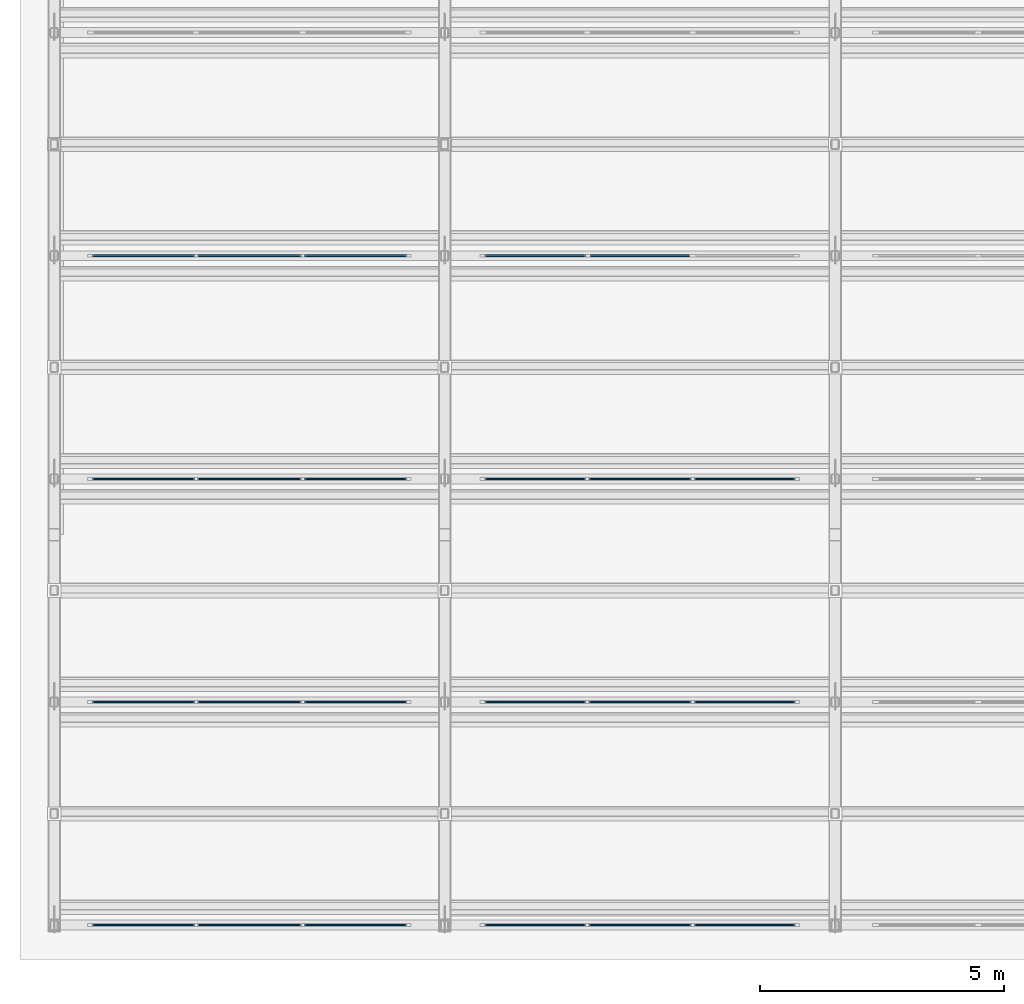
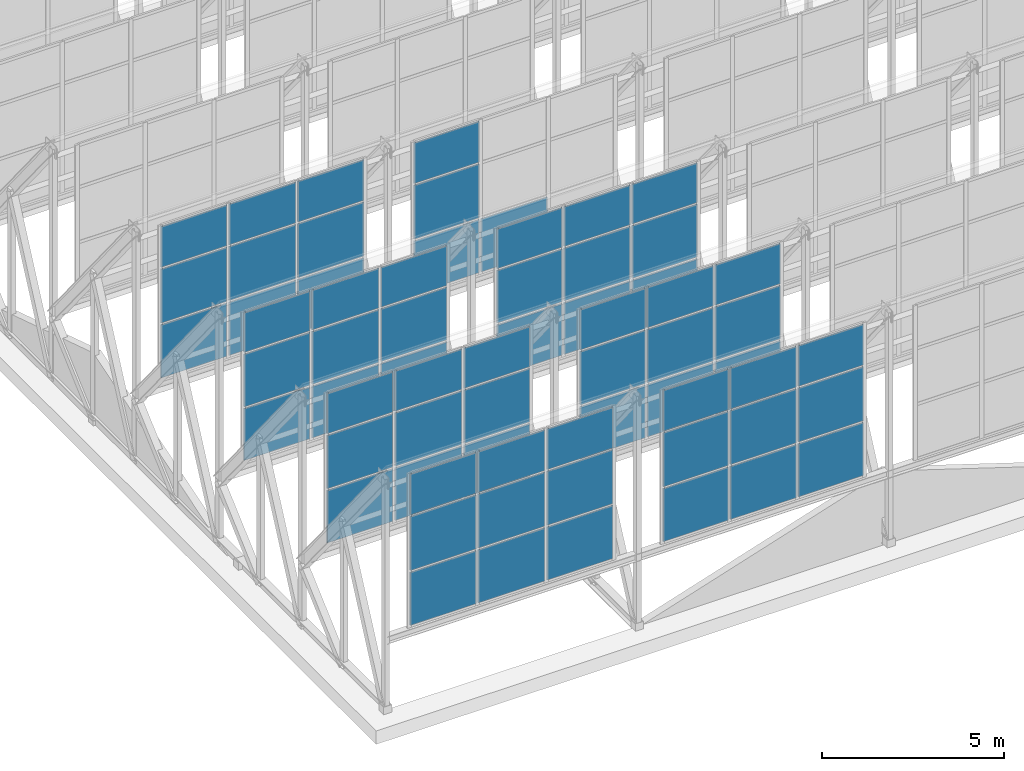
# One storey, part 26 of 34: 67 plates, 8 elements without a shape of their own.
"""IFC4 building model written with IfcOpenShell, lengths in metres."""

from ifc_helpers import new_model, si_unit, direction, frame, origin, origin_2d, place, context, subcontext, project, spatial, rectangle, extrude, material, layer, layer_set, type_object, element, aggregate, save


model = new_model("IFC4")

# Units and contexts
model_context = context("Model", 3, precision=1e-05, world=origin(), true_north=direction((0.0, 1.0)))
body_context = subcontext(model_context, "Body", "Model", "MODEL_VIEW")
ifc_project = project(units=[si_unit("LENGTHUNIT", "METRE"), si_unit("AREAUNIT", "SQUARE_METRE"), si_unit("VOLUMEUNIT", "CUBIC_METRE"), si_unit("PLANEANGLEUNIT", "RADIAN"), si_unit("MASSUNIT", "GRAM", prefix="KILO")], contexts=[model_context])

# Site, building, storey
site_placement = place(None, origin())
site = spatial("IfcSite", under=ifc_project, at=site_placement, CompositionType="ELEMENT")
building_placement = place(site_placement, origin())
building = spatial("IfcBuilding", under=site, at=building_placement, Name="Qorikala Patio Media Centre", CompositionType="ELEMENT")
storey_placement = place(building_placement, frame((0.0, 0.0, 32.699951171875)))
storey = spatial("IfcBuildingStorey", under=building, at=storey_placement, Name="RF", CompositionType="ELEMENT", Elevation=32.699951171875)

# Curtain wall, plates
ifc_material_1 = material(Name="Bronze Anodised Aluminium and Low-E Glass", Category="aluminium")
ifc_layer_1 = layer(ifc_material_1, 0.159912109375)
ifc_layer_set_1 = layer_set([ifc_layer_1], Name="Bronze Anodised Aluminium and Low-E Glass")
curtain_wall_type_1 = type_object("IfcCurtainWallType", Name="CW-SAW-656X520", PredefinedType="USERDEFINED", material=ifc_layer_set_1)
curtain_wall_1_placement = place(storey_placement, origin())
curtain_wall_1 = element("IfcCurtainWall", 1, at=curtain_wall_1_placement, inside=storey, type_object=curtain_wall_type_1, Name="RF Sawtooth Glazing 107", ObjectType="SAWTOOTH GLAZING", PredefinedType="USERDEFINED")
ifc_material_2 = material(Name="Acoustic Laminated Low-E Glass", Category="glass")
ifc_layer_2 = layer(ifc_material_2, 0.031982421875)
ifc_layer_set_2 = layer_set([ifc_layer_2], Name="Acoustic Laminated Low-E Glass")
plate_type = type_object("IfcPlateType", Name="CWP-32", PredefinedType="CURTAIN_PANEL", material=ifc_layer_set_2)
plate_1_placement = place(storey_placement, frame((4.828369140625, 3.0, 2.81005859375), z_axis=(0.0, 0.0, 1.0), x_axis=(1.0, 0.0, 0.0)))
plate_1 = element("IfcPlate", 2, at=plate_1_placement, type_object=plate_type, Name="CWS656520 panel 1.1", PredefinedType="CURTAIN_PANEL", context=body_context, shape_type="SweptSolid", body=[
    extrude(rectangle(XDim=2.0966796875, YDim=0.031982421875, at=origin_2d()), origin(), (0.0, 0.0, 1.0), 1.781982421875),
])
plate_2_placement = place(storey_placement, frame((4.828369140625, 3.0, 4.652099609375), z_axis=(0.0, 0.0, 1.0), x_axis=(1.0, 0.0, 0.0)))
plate_2 = element("IfcPlate", 3, at=plate_2_placement, type_object=plate_type, Name="CWS656520 panel 1.2", PredefinedType="CURTAIN_PANEL", context=body_context, shape_type="SweptSolid", body=[
    extrude(rectangle(XDim=2.0966796875, YDim=0.031982421875, at=origin_2d()), origin(), (0.0, 0.0, 1.0), 1.81201171875),
])
plate_3_placement = place(storey_placement, frame((4.828369140625, 3.0, 6.52392578125), z_axis=(0.0, 0.0, 1.0), x_axis=(1.0, 0.0, 0.0)))
plate_3 = element("IfcPlate", 4, at=plate_3_placement, type_object=plate_type, Name="CWS656520 panel 1.3", PredefinedType="CURTAIN_PANEL", context=body_context, shape_type="SweptSolid", body=[
    extrude(rectangle(XDim=2.0966796875, YDim=0.031982421875, at=origin_2d()), origin(), (0.0, 0.0, 1.0), 1.365966796875),
])
plate_4_placement = place(storey_placement, frame((7.0, 3.0, 2.81005859375), z_axis=(0.0, 0.0, 1.0), x_axis=(1.0, 0.0, 0.0)))
plate_4 = element("IfcPlate", 5, at=plate_4_placement, type_object=plate_type, Name="CWS656520 panel 2.1", PredefinedType="CURTAIN_PANEL", context=body_context, shape_type="SweptSolid", body=[
    extrude(rectangle(XDim=2.126708984375, YDim=0.031982421875, at=origin_2d()), origin(), (0.0, 0.0, 1.0), 1.781982421875),
])
plate_5_placement = place(storey_placement, frame((7.0, 3.0, 4.652099609375), z_axis=(0.0, 0.0, 1.0), x_axis=(1.0, 0.0, 0.0)))
plate_5 = element("IfcPlate", 6, at=plate_5_placement, type_object=plate_type, Name="CWS656520 panel 2.2", PredefinedType="CURTAIN_PANEL", context=body_context, shape_type="SweptSolid", body=[
    extrude(rectangle(XDim=2.126708984375, YDim=0.031982421875, at=origin_2d()), origin(), (0.0, 0.0, 1.0), 1.81201171875),
])
plate_6_placement = place(storey_placement, frame((7.0, 3.0, 6.52392578125), z_axis=(0.0, 0.0, 1.0), x_axis=(1.0, 0.0, 0.0)))
plate_6 = element("IfcPlate", 7, at=plate_6_placement, type_object=plate_type, Name="CWS656520 panel 2.3", PredefinedType="CURTAIN_PANEL", context=body_context, shape_type="SweptSolid", body=[
    extrude(rectangle(XDim=2.126708984375, YDim=0.031982421875, at=origin_2d()), origin(), (0.0, 0.0, 1.0), 1.365966796875),
])
plate_7_placement = place(storey_placement, frame((9.171630859375, 3.0, 2.81005859375), z_axis=(0.0, 0.0, 1.0), x_axis=(1.0, 0.0, 0.0)))
plate_7 = element("IfcPlate", 8, at=plate_7_placement, type_object=plate_type, Name="CWS656520 panel 3.1", PredefinedType="CURTAIN_PANEL", context=body_context, shape_type="SweptSolid", body=[
    extrude(rectangle(XDim=2.0966796875, YDim=0.031982421875, at=origin_2d()), origin(), (0.0, 0.0, 1.0), 1.781982421875),
])
plate_8_placement = place(storey_placement, frame((9.171630859375, 3.0, 4.652099609375), z_axis=(0.0, 0.0, 1.0), x_axis=(1.0, 0.0, 0.0)))
plate_8 = element("IfcPlate", 9, at=plate_8_placement, type_object=plate_type, Name="CWS656520 panel 3.2", PredefinedType="CURTAIN_PANEL", context=body_context, shape_type="SweptSolid", body=[
    extrude(rectangle(XDim=2.0966796875, YDim=0.031982421875, at=origin_2d()), origin(), (0.0, 0.0, 1.0), 1.81201171875),
])
plate_9_placement = place(storey_placement, frame((9.171630859375, 3.0, 6.52392578125), z_axis=(0.0, 0.0, 1.0), x_axis=(1.0, 0.0, 0.0)))
plate_9 = element("IfcPlate", 10, at=plate_9_placement, type_object=plate_type, Name="CWS656520 panel 3.3", PredefinedType="CURTAIN_PANEL", context=body_context, shape_type="SweptSolid", body=[
    extrude(rectangle(XDim=2.0966796875, YDim=0.031982421875, at=origin_2d()), origin(), (0.0, 0.0, 1.0), 1.365966796875),
])
aggregate(curtain_wall_1, [plate_1, plate_2, plate_3, plate_4, plate_5, plate_6, plate_7, plate_8, plate_9])

ifc_layer_3 = layer(ifc_material_1, 0.159912109375)
ifc_layer_set_3 = layer_set([ifc_layer_3], Name="Bronze Anodised Aluminium and Low-E Glass")
curtain_wall_type_2 = type_object("IfcCurtainWallType", Name="CW-SAW-648X520", PredefinedType="USERDEFINED", material=ifc_layer_set_3)
curtain_wall_2_placement = place(storey_placement, origin())
curtain_wall_2 = element("IfcCurtainWall", 11, at=curtain_wall_2_placement, inside=storey, type_object=curtain_wall_type_2, Name="RF Sawtooth Glazing 108", ObjectType="SAWTOOTH GLAZING", PredefinedType="USERDEFINED")
plate_10_placement = place(storey_placement, frame((12.85498046875, 3.0, 2.81005859375), z_axis=(0.0, 0.0, 1.0), x_axis=(1.0, 0.0, 0.0)))
plate_10 = element("IfcPlate", 12, at=plate_10_placement, type_object=plate_type, Name="CWS648520 panel 1.1", PredefinedType="CURTAIN_PANEL", context=body_context, shape_type="SweptSolid", body=[
    extrude(rectangle(XDim=2.070068359375, YDim=0.031982421875, at=origin_2d()), origin(), (0.0, 0.0, 1.0), 1.781982421875),
])
plate_11_placement = place(storey_placement, frame((12.85498046875, 3.0, 4.652099609375), z_axis=(0.0, 0.0, 1.0), x_axis=(1.0, 0.0, 0.0)))
plate_11 = element("IfcPlate", 13, at=plate_11_placement, type_object=plate_type, Name="CWS648520 panel 1.2", PredefinedType="CURTAIN_PANEL", context=body_context, shape_type="SweptSolid", body=[
    extrude(rectangle(XDim=2.070068359375, YDim=0.031982421875, at=origin_2d()), origin(), (0.0, 0.0, 1.0), 1.81201171875),
])
plate_12_placement = place(storey_placement, frame((12.85498046875, 3.0, 6.52392578125), z_axis=(0.0, 0.0, 1.0), x_axis=(1.0, 0.0, 0.0)))
plate_12 = element("IfcPlate", 14, at=plate_12_placement, type_object=plate_type, Name="CWS648520 panel 1.3", PredefinedType="CURTAIN_PANEL", context=body_context, shape_type="SweptSolid", body=[
    extrude(rectangle(XDim=2.070068359375, YDim=0.031982421875, at=origin_2d()), origin(), (0.0, 0.0, 1.0), 1.365966796875),
])
plate_13_placement = place(storey_placement, frame((15.0, 3.0, 2.81005859375), z_axis=(0.0, 0.0, 1.0), x_axis=(1.0, 0.0, 0.0)))
plate_13 = element("IfcPlate", 15, at=plate_13_placement, type_object=plate_type, Name="CWS648520 panel 2.1", PredefinedType="CURTAIN_PANEL", context=body_context, shape_type="SweptSolid", body=[
    extrude(rectangle(XDim=2.10009765625, YDim=0.031982421875, at=origin_2d()), origin(), (0.0, 0.0, 1.0), 1.781982421875),
])
plate_14_placement = place(storey_placement, frame((15.0, 3.0, 4.652099609375), z_axis=(0.0, 0.0, 1.0), x_axis=(1.0, 0.0, 0.0)))
plate_14 = element("IfcPlate", 16, at=plate_14_placement, type_object=plate_type, Name="CWS648520 panel 2.2", PredefinedType="CURTAIN_PANEL", context=body_context, shape_type="SweptSolid", body=[
    extrude(rectangle(XDim=2.10009765625, YDim=0.031982421875, at=origin_2d()), origin(), (0.0, 0.0, 1.0), 1.81201171875),
])
plate_15_placement = place(storey_placement, frame((15.0, 3.0, 6.52392578125), z_axis=(0.0, 0.0, 1.0), x_axis=(1.0, 0.0, 0.0)))
plate_15 = element("IfcPlate", 17, at=plate_15_placement, type_object=plate_type, Name="CWS648520 panel 2.3", PredefinedType="CURTAIN_PANEL", context=body_context, shape_type="SweptSolid", body=[
    extrude(rectangle(XDim=2.10009765625, YDim=0.031982421875, at=origin_2d()), origin(), (0.0, 0.0, 1.0), 1.365966796875),
])
plate_16_placement = place(storey_placement, frame((17.14501953125, 3.0, 2.81005859375), z_axis=(0.0, 0.0, 1.0), x_axis=(1.0, 0.0, 0.0)))
plate_16 = element("IfcPlate", 18, at=plate_16_placement, type_object=plate_type, Name="CWS648520 panel 3.1", PredefinedType="CURTAIN_PANEL", context=body_context, shape_type="SweptSolid", body=[
    extrude(rectangle(XDim=2.070068359375, YDim=0.031982421875, at=origin_2d()), origin(), (0.0, 0.0, 1.0), 1.781982421875),
])
plate_17_placement = place(storey_placement, frame((17.14501953125, 3.0, 4.652099609375), z_axis=(0.0, 0.0, 1.0), x_axis=(1.0, 0.0, 0.0)))
plate_17 = element("IfcPlate", 19, at=plate_17_placement, type_object=plate_type, Name="CWS648520 panel 3.2", PredefinedType="CURTAIN_PANEL", context=body_context, shape_type="SweptSolid", body=[
    extrude(rectangle(XDim=2.070068359375, YDim=0.031982421875, at=origin_2d()), origin(), (0.0, 0.0, 1.0), 1.81201171875),
])
plate_18_placement = place(storey_placement, frame((17.14501953125, 3.0, 6.52392578125), z_axis=(0.0, 0.0, 1.0), x_axis=(1.0, 0.0, 0.0)))
plate_18 = element("IfcPlate", 20, at=plate_18_placement, type_object=plate_type, Name="CWS648520 panel 3.3", PredefinedType="CURTAIN_PANEL", context=body_context, shape_type="SweptSolid", body=[
    extrude(rectangle(XDim=2.070068359375, YDim=0.031982421875, at=origin_2d()), origin(), (0.0, 0.0, 1.0), 1.365966796875),
])
aggregate(curtain_wall_2, [plate_10, plate_11, plate_12, plate_13, plate_14, plate_15, plate_16, plate_17, plate_18])

ifc_layer_4 = layer(ifc_material_1, 0.159912109375)
ifc_layer_set_4 = layer_set([ifc_layer_4], Name="Bronze Anodised Aluminium and Low-E Glass")
curtain_wall_type_3 = type_object("IfcCurtainWallType", Name="CW-SAW-656X514", PredefinedType="USERDEFINED", material=ifc_layer_set_4)
curtain_wall_3_placement = place(storey_placement, origin())
curtain_wall_3 = element("IfcCurtainWall", 21, at=curtain_wall_3_placement, inside=storey, type_object=curtain_wall_type_3, Name="RF Sawtooth Glazing 112", ObjectType="SAWTOOTH GLAZING", PredefinedType="USERDEFINED")
plate_19_placement = place(storey_placement, frame((4.828369140625, 7.5712890625, 2.81005859375), z_axis=(0.0, 0.0, 1.0), x_axis=(1.0, 0.0, 0.0)))
plate_19 = element("IfcPlate", 22, at=plate_19_placement, type_object=plate_type, Name="CWS656514 panel 1.1", PredefinedType="CURTAIN_PANEL", context=body_context, shape_type="SweptSolid", body=[
    extrude(rectangle(XDim=2.0966796875, YDim=0.031982421875, at=origin_2d()), origin(), (0.0, 0.0, 1.0), 1.760498046875),
])
plate_20_placement = place(storey_placement, frame((4.828369140625, 7.5712890625, 4.63037109375), z_axis=(0.0, 0.0, 1.0), x_axis=(1.0, 0.0, 0.0)))
plate_20 = element("IfcPlate", 23, at=plate_20_placement, type_object=plate_type, Name="CWS656514 panel 1.2", PredefinedType="CURTAIN_PANEL", context=body_context, shape_type="SweptSolid", body=[
    extrude(rectangle(XDim=2.0966796875, YDim=0.031982421875, at=origin_2d()), origin(), (0.0, 0.0, 1.0), 1.790283203125),
])
plate_21_placement = place(storey_placement, frame((4.828369140625, 7.5712890625, 6.48095703125), z_axis=(0.0, 0.0, 1.0), x_axis=(1.0, 0.0, 0.0)))
plate_21 = element("IfcPlate", 24, at=plate_21_placement, type_object=plate_type, Name="CWS656514 panel 1.3", PredefinedType="CURTAIN_PANEL", context=body_context, shape_type="SweptSolid", body=[
    extrude(rectangle(XDim=2.0966796875, YDim=0.031982421875, at=origin_2d()), origin(), (0.0, 0.0, 1.0), 1.34912109375),
])
plate_22_placement = place(storey_placement, frame((7.0, 7.5712890625, 2.81005859375), z_axis=(0.0, 0.0, 1.0), x_axis=(1.0, 0.0, 0.0)))
plate_22 = element("IfcPlate", 25, at=plate_22_placement, type_object=plate_type, Name="CWS656514 panel 2.1", PredefinedType="CURTAIN_PANEL", context=body_context, shape_type="SweptSolid", body=[
    extrude(rectangle(XDim=2.126708984375, YDim=0.031982421875, at=origin_2d()), origin(), (0.0, 0.0, 1.0), 1.760498046875),
])
plate_23_placement = place(storey_placement, frame((7.0, 7.5712890625, 4.63037109375), z_axis=(0.0, 0.0, 1.0), x_axis=(1.0, 0.0, 0.0)))
plate_23 = element("IfcPlate", 26, at=plate_23_placement, type_object=plate_type, Name="CWS656514 panel 2.2", PredefinedType="CURTAIN_PANEL", context=body_context, shape_type="SweptSolid", body=[
    extrude(rectangle(XDim=2.126708984375, YDim=0.031982421875, at=origin_2d()), origin(), (0.0, 0.0, 1.0), 1.790283203125),
])
plate_24_placement = place(storey_placement, frame((7.0, 7.5712890625, 6.48095703125), z_axis=(0.0, 0.0, 1.0), x_axis=(1.0, 0.0, 0.0)))
plate_24 = element("IfcPlate", 27, at=plate_24_placement, type_object=plate_type, Name="CWS656514 panel 2.3", PredefinedType="CURTAIN_PANEL", context=body_context, shape_type="SweptSolid", body=[
    extrude(rectangle(XDim=2.126708984375, YDim=0.031982421875, at=origin_2d()), origin(), (0.0, 0.0, 1.0), 1.34912109375),
])
plate_25_placement = place(storey_placement, frame((9.171630859375, 7.5712890625, 2.81005859375), z_axis=(0.0, 0.0, 1.0), x_axis=(1.0, 0.0, 0.0)))
plate_25 = element("IfcPlate", 28, at=plate_25_placement, type_object=plate_type, Name="CWS656514 panel 3.1", PredefinedType="CURTAIN_PANEL", context=body_context, shape_type="SweptSolid", body=[
    extrude(rectangle(XDim=2.0966796875, YDim=0.031982421875, at=origin_2d()), origin(), (0.0, 0.0, 1.0), 1.760498046875),
])
plate_26_placement = place(storey_placement, frame((9.171630859375, 7.5712890625, 4.63037109375), z_axis=(0.0, 0.0, 1.0), x_axis=(1.0, 0.0, 0.0)))
plate_26 = element("IfcPlate", 29, at=plate_26_placement, type_object=plate_type, Name="CWS656514 panel 3.2", PredefinedType="CURTAIN_PANEL", context=body_context, shape_type="SweptSolid", body=[
    extrude(rectangle(XDim=2.0966796875, YDim=0.031982421875, at=origin_2d()), origin(), (0.0, 0.0, 1.0), 1.790283203125),
])
plate_27_placement = place(storey_placement, frame((9.171630859375, 7.5712890625, 6.48095703125), z_axis=(0.0, 0.0, 1.0), x_axis=(1.0, 0.0, 0.0)))
plate_27 = element("IfcPlate", 30, at=plate_27_placement, type_object=plate_type, Name="CWS656514 panel 3.3", PredefinedType="CURTAIN_PANEL", context=body_context, shape_type="SweptSolid", body=[
    extrude(rectangle(XDim=2.0966796875, YDim=0.031982421875, at=origin_2d()), origin(), (0.0, 0.0, 1.0), 1.34912109375),
])
aggregate(curtain_wall_3, [plate_19, plate_20, plate_21, plate_22, plate_23, plate_24, plate_25, plate_26, plate_27])

ifc_layer_5 = layer(ifc_material_1, 0.159912109375)
ifc_layer_set_5 = layer_set([ifc_layer_5], Name="Bronze Anodised Aluminium and Low-E Glass")
curtain_wall_type_4 = type_object("IfcCurtainWallType", Name="CW-SAW-648X514", PredefinedType="USERDEFINED", material=ifc_layer_set_5)
curtain_wall_4_placement = place(storey_placement, origin())
curtain_wall_4 = element("IfcCurtainWall", 31, at=curtain_wall_4_placement, inside=storey, type_object=curtain_wall_type_4, Name="RF Sawtooth Glazing 113", ObjectType="SAWTOOTH GLAZING", PredefinedType="USERDEFINED")
plate_28_placement = place(storey_placement, frame((12.85498046875, 7.5712890625, 2.81005859375), z_axis=(0.0, 0.0, 1.0), x_axis=(1.0, 0.0, 0.0)))
plate_28 = element("IfcPlate", 32, at=plate_28_placement, type_object=plate_type, Name="CWS648514 panel 1.1", PredefinedType="CURTAIN_PANEL", context=body_context, shape_type="SweptSolid", body=[
    extrude(rectangle(XDim=2.070068359375, YDim=0.031982421875, at=origin_2d()), origin(), (0.0, 0.0, 1.0), 1.760498046875),
])
plate_29_placement = place(storey_placement, frame((12.85498046875, 7.5712890625, 4.63037109375), z_axis=(0.0, 0.0, 1.0), x_axis=(1.0, 0.0, 0.0)))
plate_29 = element("IfcPlate", 33, at=plate_29_placement, type_object=plate_type, Name="CWS648514 panel 1.2", PredefinedType="CURTAIN_PANEL", context=body_context, shape_type="SweptSolid", body=[
    extrude(rectangle(XDim=2.070068359375, YDim=0.031982421875, at=origin_2d()), origin(), (0.0, 0.0, 1.0), 1.790283203125),
])
plate_30_placement = place(storey_placement, frame((12.85498046875, 7.5712890625, 6.48095703125), z_axis=(0.0, 0.0, 1.0), x_axis=(1.0, 0.0, 0.0)))
plate_30 = element("IfcPlate", 34, at=plate_30_placement, type_object=plate_type, Name="CWS648514 panel 1.3", PredefinedType="CURTAIN_PANEL", context=body_context, shape_type="SweptSolid", body=[
    extrude(rectangle(XDim=2.070068359375, YDim=0.031982421875, at=origin_2d()), origin(), (0.0, 0.0, 1.0), 1.34912109375),
])
plate_31_placement = place(storey_placement, frame((15.0, 7.5712890625, 2.81005859375), z_axis=(0.0, 0.0, 1.0), x_axis=(1.0, 0.0, 0.0)))
plate_31 = element("IfcPlate", 35, at=plate_31_placement, type_object=plate_type, Name="CWS648514 panel 2.1", PredefinedType="CURTAIN_PANEL", context=body_context, shape_type="SweptSolid", body=[
    extrude(rectangle(XDim=2.10009765625, YDim=0.031982421875, at=origin_2d()), origin(), (0.0, 0.0, 1.0), 1.760498046875),
])
plate_32_placement = place(storey_placement, frame((15.0, 7.5712890625, 4.63037109375), z_axis=(0.0, 0.0, 1.0), x_axis=(1.0, 0.0, 0.0)))
plate_32 = element("IfcPlate", 36, at=plate_32_placement, type_object=plate_type, Name="CWS648514 panel 2.2", PredefinedType="CURTAIN_PANEL", context=body_context, shape_type="SweptSolid", body=[
    extrude(rectangle(XDim=2.10009765625, YDim=0.031982421875, at=origin_2d()), origin(), (0.0, 0.0, 1.0), 1.790283203125),
])
plate_33_placement = place(storey_placement, frame((15.0, 7.5712890625, 6.48095703125), z_axis=(0.0, 0.0, 1.0), x_axis=(1.0, 0.0, 0.0)))
plate_33 = element("IfcPlate", 37, at=plate_33_placement, type_object=plate_type, Name="CWS648514 panel 2.3", PredefinedType="CURTAIN_PANEL", context=body_context, shape_type="SweptSolid", body=[
    extrude(rectangle(XDim=2.10009765625, YDim=0.031982421875, at=origin_2d()), origin(), (0.0, 0.0, 1.0), 1.34912109375),
])
plate_34_placement = place(storey_placement, frame((17.14501953125, 7.5712890625, 2.81005859375), z_axis=(0.0, 0.0, 1.0), x_axis=(1.0, 0.0, 0.0)))
plate_34 = element("IfcPlate", 38, at=plate_34_placement, type_object=plate_type, Name="CWS648514 panel 3.1", PredefinedType="CURTAIN_PANEL", context=body_context, shape_type="SweptSolid", body=[
    extrude(rectangle(XDim=2.070068359375, YDim=0.031982421875, at=origin_2d()), origin(), (0.0, 0.0, 1.0), 1.760498046875),
])
plate_35_placement = place(storey_placement, frame((17.14501953125, 7.5712890625, 4.63037109375), z_axis=(0.0, 0.0, 1.0), x_axis=(1.0, 0.0, 0.0)))
plate_35 = element("IfcPlate", 39, at=plate_35_placement, type_object=plate_type, Name="CWS648514 panel 3.2", PredefinedType="CURTAIN_PANEL", context=body_context, shape_type="SweptSolid", body=[
    extrude(rectangle(XDim=2.070068359375, YDim=0.031982421875, at=origin_2d()), origin(), (0.0, 0.0, 1.0), 1.790283203125),
])
plate_36_placement = place(storey_placement, frame((17.14501953125, 7.5712890625, 6.48095703125), z_axis=(0.0, 0.0, 1.0), x_axis=(1.0, 0.0, 0.0)))
plate_36 = element("IfcPlate", 40, at=plate_36_placement, type_object=plate_type, Name="CWS648514 panel 3.3", PredefinedType="CURTAIN_PANEL", context=body_context, shape_type="SweptSolid", body=[
    extrude(rectangle(XDim=2.070068359375, YDim=0.031982421875, at=origin_2d()), origin(), (0.0, 0.0, 1.0), 1.34912109375),
])
aggregate(curtain_wall_4, [plate_28, plate_29, plate_30, plate_31, plate_32, plate_33, plate_34, plate_35, plate_36])

ifc_layer_6 = layer(ifc_material_1, 0.159912109375)
ifc_layer_set_6 = layer_set([ifc_layer_6], Name="Bronze Anodised Aluminium and Low-E Glass")
curtain_wall_type_5 = type_object("IfcCurtainWallType", Name="CW-SAW-656X508", PredefinedType="USERDEFINED", material=ifc_layer_set_6)
curtain_wall_5_placement = place(storey_placement, origin())
curtain_wall_5 = element("IfcCurtainWall", 41, at=curtain_wall_5_placement, inside=storey, type_object=curtain_wall_type_5, Name="RF Sawtooth Glazing 117", ObjectType="SAWTOOTH GLAZING", PredefinedType="USERDEFINED")
plate_37_placement = place(storey_placement, frame((4.828369140625, 12.142822265625, 2.81005859375), z_axis=(0.0, 0.0, 1.0), x_axis=(1.0, 0.0, 0.0)))
plate_37 = element("IfcPlate", 42, at=plate_37_placement, type_object=plate_type, Name="CWS656508 panel 1.1", PredefinedType="CURTAIN_PANEL", context=body_context, shape_type="SweptSolid", body=[
    extrude(rectangle(XDim=2.0966796875, YDim=0.031982421875, at=origin_2d()), origin(), (0.0, 0.0, 1.0), 1.73876953125),
])
plate_38_placement = place(storey_placement, frame((4.828369140625, 12.142822265625, 4.60888671875), z_axis=(0.0, 0.0, 1.0), x_axis=(1.0, 0.0, 0.0)))
plate_38 = element("IfcPlate", 43, at=plate_38_placement, type_object=plate_type, Name="CWS656508 panel 1.2", PredefinedType="CURTAIN_PANEL", context=body_context, shape_type="SweptSolid", body=[
    extrude(rectangle(XDim=2.0966796875, YDim=0.031982421875, at=origin_2d()), origin(), (0.0, 0.0, 1.0), 1.768798828125),
])
plate_39_placement = place(storey_placement, frame((4.828369140625, 12.142822265625, 6.4375), z_axis=(0.0, 0.0, 1.0), x_axis=(1.0, 0.0, 0.0)))
plate_39 = element("IfcPlate", 44, at=plate_39_placement, type_object=plate_type, Name="CWS656508 panel 1.3", PredefinedType="CURTAIN_PANEL", context=body_context, shape_type="SweptSolid", body=[
    extrude(rectangle(XDim=2.0966796875, YDim=0.031982421875, at=origin_2d()), origin(), (0.0, 0.0, 1.0), 1.33251953125),
])
plate_40_placement = place(storey_placement, frame((7.0, 12.142822265625, 2.81005859375), z_axis=(0.0, 0.0, 1.0), x_axis=(1.0, 0.0, 0.0)))
plate_40 = element("IfcPlate", 45, at=plate_40_placement, type_object=plate_type, Name="CWS656508 panel 2.1", PredefinedType="CURTAIN_PANEL", context=body_context, shape_type="SweptSolid", body=[
    extrude(rectangle(XDim=2.126708984375, YDim=0.031982421875, at=origin_2d()), origin(), (0.0, 0.0, 1.0), 1.73876953125),
])
plate_41_placement = place(storey_placement, frame((7.0, 12.142822265625, 4.60888671875), z_axis=(0.0, 0.0, 1.0), x_axis=(1.0, 0.0, 0.0)))
plate_41 = element("IfcPlate", 46, at=plate_41_placement, type_object=plate_type, Name="CWS656508 panel 2.2", PredefinedType="CURTAIN_PANEL", context=body_context, shape_type="SweptSolid", body=[
    extrude(rectangle(XDim=2.126708984375, YDim=0.031982421875, at=origin_2d()), origin(), (0.0, 0.0, 1.0), 1.768798828125),
])
plate_42_placement = place(storey_placement, frame((7.0, 12.142822265625, 6.4375), z_axis=(0.0, 0.0, 1.0), x_axis=(1.0, 0.0, 0.0)))
plate_42 = element("IfcPlate", 47, at=plate_42_placement, type_object=plate_type, Name="CWS656508 panel 2.3", PredefinedType="CURTAIN_PANEL", context=body_context, shape_type="SweptSolid", body=[
    extrude(rectangle(XDim=2.126708984375, YDim=0.031982421875, at=origin_2d()), origin(), (0.0, 0.0, 1.0), 1.33251953125),
])
plate_43_placement = place(storey_placement, frame((9.171630859375, 12.142822265625, 2.81005859375), z_axis=(0.0, 0.0, 1.0), x_axis=(1.0, 0.0, 0.0)))
plate_43 = element("IfcPlate", 48, at=plate_43_placement, type_object=plate_type, Name="CWS656508 panel 3.1", PredefinedType="CURTAIN_PANEL", context=body_context, shape_type="SweptSolid", body=[
    extrude(rectangle(XDim=2.0966796875, YDim=0.031982421875, at=origin_2d()), origin(), (0.0, 0.0, 1.0), 1.73876953125),
])
plate_44_placement = place(storey_placement, frame((9.171630859375, 12.142822265625, 4.60888671875), z_axis=(0.0, 0.0, 1.0), x_axis=(1.0, 0.0, 0.0)))
plate_44 = element("IfcPlate", 49, at=plate_44_placement, type_object=plate_type, Name="CWS656508 panel 3.2", PredefinedType="CURTAIN_PANEL", context=body_context, shape_type="SweptSolid", body=[
    extrude(rectangle(XDim=2.0966796875, YDim=0.031982421875, at=origin_2d()), origin(), (0.0, 0.0, 1.0), 1.768798828125),
])
plate_45_placement = place(storey_placement, frame((9.171630859375, 12.142822265625, 6.4375), z_axis=(0.0, 0.0, 1.0), x_axis=(1.0, 0.0, 0.0)))
plate_45 = element("IfcPlate", 50, at=plate_45_placement, type_object=plate_type, Name="CWS656508 panel 3.3", PredefinedType="CURTAIN_PANEL", context=body_context, shape_type="SweptSolid", body=[
    extrude(rectangle(XDim=2.0966796875, YDim=0.031982421875, at=origin_2d()), origin(), (0.0, 0.0, 1.0), 1.33251953125),
])
aggregate(curtain_wall_5, [plate_37, plate_38, plate_39, plate_40, plate_41, plate_42, plate_43, plate_44, plate_45])

ifc_layer_7 = layer(ifc_material_1, 0.159912109375)
ifc_layer_set_7 = layer_set([ifc_layer_7], Name="Bronze Anodised Aluminium and Low-E Glass")
curtain_wall_type_6 = type_object("IfcCurtainWallType", Name="CW-SAW-648X508", PredefinedType="USERDEFINED", material=ifc_layer_set_7)
curtain_wall_6_placement = place(storey_placement, origin())
curtain_wall_6 = element("IfcCurtainWall", 51, at=curtain_wall_6_placement, inside=storey, type_object=curtain_wall_type_6, Name="RF Sawtooth Glazing 118", ObjectType="SAWTOOTH GLAZING", PredefinedType="USERDEFINED")
plate_46_placement = place(storey_placement, frame((12.85498046875, 12.142822265625, 2.81005859375), z_axis=(0.0, 0.0, 1.0), x_axis=(1.0, 0.0, 0.0)))
plate_46 = element("IfcPlate", 52, at=plate_46_placement, type_object=plate_type, Name="CWS648508 panel 1.1", PredefinedType="CURTAIN_PANEL", context=body_context, shape_type="SweptSolid", body=[
    extrude(rectangle(XDim=2.070068359375, YDim=0.031982421875, at=origin_2d()), origin(), (0.0, 0.0, 1.0), 1.73876953125),
])
plate_47_placement = place(storey_placement, frame((12.85498046875, 12.142822265625, 4.60888671875), z_axis=(0.0, 0.0, 1.0), x_axis=(1.0, 0.0, 0.0)))
plate_47 = element("IfcPlate", 53, at=plate_47_placement, type_object=plate_type, Name="CWS648508 panel 1.2", PredefinedType="CURTAIN_PANEL", context=body_context, shape_type="SweptSolid", body=[
    extrude(rectangle(XDim=2.070068359375, YDim=0.031982421875, at=origin_2d()), origin(), (0.0, 0.0, 1.0), 1.768798828125),
])
plate_48_placement = place(storey_placement, frame((12.85498046875, 12.142822265625, 6.4375), z_axis=(0.0, 0.0, 1.0), x_axis=(1.0, 0.0, 0.0)))
plate_48 = element("IfcPlate", 54, at=plate_48_placement, type_object=plate_type, Name="CWS648508 panel 1.3", PredefinedType="CURTAIN_PANEL", context=body_context, shape_type="SweptSolid", body=[
    extrude(rectangle(XDim=2.070068359375, YDim=0.031982421875, at=origin_2d()), origin(), (0.0, 0.0, 1.0), 1.33251953125),
])
plate_49_placement = place(storey_placement, frame((15.0, 12.142822265625, 2.81005859375), z_axis=(0.0, 0.0, 1.0), x_axis=(1.0, 0.0, 0.0)))
plate_49 = element("IfcPlate", 55, at=plate_49_placement, type_object=plate_type, Name="CWS648508 panel 2.1", PredefinedType="CURTAIN_PANEL", context=body_context, shape_type="SweptSolid", body=[
    extrude(rectangle(XDim=2.10009765625, YDim=0.031982421875, at=origin_2d()), origin(), (0.0, 0.0, 1.0), 1.73876953125),
])
plate_50_placement = place(storey_placement, frame((15.0, 12.142822265625, 4.60888671875), z_axis=(0.0, 0.0, 1.0), x_axis=(1.0, 0.0, 0.0)))
plate_50 = element("IfcPlate", 56, at=plate_50_placement, type_object=plate_type, Name="CWS648508 panel 2.2", PredefinedType="CURTAIN_PANEL", context=body_context, shape_type="SweptSolid", body=[
    extrude(rectangle(XDim=2.10009765625, YDim=0.031982421875, at=origin_2d()), origin(), (0.0, 0.0, 1.0), 1.768798828125),
])
plate_51_placement = place(storey_placement, frame((15.0, 12.142822265625, 6.4375), z_axis=(0.0, 0.0, 1.0), x_axis=(1.0, 0.0, 0.0)))
plate_51 = element("IfcPlate", 57, at=plate_51_placement, type_object=plate_type, Name="CWS648508 panel 2.3", PredefinedType="CURTAIN_PANEL", context=body_context, shape_type="SweptSolid", body=[
    extrude(rectangle(XDim=2.10009765625, YDim=0.031982421875, at=origin_2d()), origin(), (0.0, 0.0, 1.0), 1.33251953125),
])
plate_52_placement = place(storey_placement, frame((17.14501953125, 12.142822265625, 2.81005859375), z_axis=(0.0, 0.0, 1.0), x_axis=(1.0, 0.0, 0.0)))
plate_52 = element("IfcPlate", 58, at=plate_52_placement, type_object=plate_type, Name="CWS648508 panel 3.1", PredefinedType="CURTAIN_PANEL", context=body_context, shape_type="SweptSolid", body=[
    extrude(rectangle(XDim=2.070068359375, YDim=0.031982421875, at=origin_2d()), origin(), (0.0, 0.0, 1.0), 1.73876953125),
])
plate_53_placement = place(storey_placement, frame((17.14501953125, 12.142822265625, 4.60888671875), z_axis=(0.0, 0.0, 1.0), x_axis=(1.0, 0.0, 0.0)))
plate_53 = element("IfcPlate", 59, at=plate_53_placement, type_object=plate_type, Name="CWS648508 panel 3.2", PredefinedType="CURTAIN_PANEL", context=body_context, shape_type="SweptSolid", body=[
    extrude(rectangle(XDim=2.070068359375, YDim=0.031982421875, at=origin_2d()), origin(), (0.0, 0.0, 1.0), 1.768798828125),
])
plate_54_placement = place(storey_placement, frame((17.14501953125, 12.142822265625, 6.4375), z_axis=(0.0, 0.0, 1.0), x_axis=(1.0, 0.0, 0.0)))
plate_54 = element("IfcPlate", 60, at=plate_54_placement, type_object=plate_type, Name="CWS648508 panel 3.3", PredefinedType="CURTAIN_PANEL", context=body_context, shape_type="SweptSolid", body=[
    extrude(rectangle(XDim=2.070068359375, YDim=0.031982421875, at=origin_2d()), origin(), (0.0, 0.0, 1.0), 1.33251953125),
])
aggregate(curtain_wall_6, [plate_46, plate_47, plate_48, plate_49, plate_50, plate_51, plate_52, plate_53, plate_54])

curtain_wall_7_placement = place(storey_placement, origin())
curtain_wall_7 = element("IfcCurtainWall", 61, at=curtain_wall_7_placement, inside=storey, type_object=curtain_wall_type_1, Name="RF Sawtooth Glazing 122", ObjectType="SAWTOOTH GLAZING", PredefinedType="USERDEFINED")
plate_55_placement = place(storey_placement, frame((4.828369140625, 16.71435546875, 2.81005859375), z_axis=(0.0, 0.0, 1.0), x_axis=(1.0, 0.0, 0.0)))
plate_55 = element("IfcPlate", 62, at=plate_55_placement, type_object=plate_type, Name="CWS656520 panel 1.1", PredefinedType="CURTAIN_PANEL", context=body_context, shape_type="SweptSolid", body=[
    extrude(rectangle(XDim=2.0966796875, YDim=0.031982421875, at=origin_2d()), origin(), (0.0, 0.0, 1.0), 1.781982421875),
])
plate_56_placement = place(storey_placement, frame((4.828369140625, 16.71435546875, 4.652099609375), z_axis=(0.0, 0.0, 1.0), x_axis=(1.0, 0.0, 0.0)))
plate_56 = element("IfcPlate", 63, at=plate_56_placement, type_object=plate_type, Name="CWS656520 panel 1.2", PredefinedType="CURTAIN_PANEL", context=body_context, shape_type="SweptSolid", body=[
    extrude(rectangle(XDim=2.0966796875, YDim=0.031982421875, at=origin_2d()), origin(), (0.0, 0.0, 1.0), 1.81201171875),
])
plate_57_placement = place(storey_placement, frame((4.828369140625, 16.71435546875, 6.52392578125), z_axis=(0.0, 0.0, 1.0), x_axis=(1.0, 0.0, 0.0)))
plate_57 = element("IfcPlate", 64, at=plate_57_placement, type_object=plate_type, Name="CWS656520 panel 1.3", PredefinedType="CURTAIN_PANEL", context=body_context, shape_type="SweptSolid", body=[
    extrude(rectangle(XDim=2.0966796875, YDim=0.031982421875, at=origin_2d()), origin(), (0.0, 0.0, 1.0), 1.365966796875),
])
plate_58_placement = place(storey_placement, frame((7.0, 16.71435546875, 2.81005859375), z_axis=(0.0, 0.0, 1.0), x_axis=(1.0, 0.0, 0.0)))
plate_58 = element("IfcPlate", 65, at=plate_58_placement, type_object=plate_type, Name="CWS656520 panel 2.1", PredefinedType="CURTAIN_PANEL", context=body_context, shape_type="SweptSolid", body=[
    extrude(rectangle(XDim=2.126708984375, YDim=0.031982421875, at=origin_2d()), origin(), (0.0, 0.0, 1.0), 1.781982421875),
])
plate_59_placement = place(storey_placement, frame((7.0, 16.71435546875, 4.652099609375), z_axis=(0.0, 0.0, 1.0), x_axis=(1.0, 0.0, 0.0)))
plate_59 = element("IfcPlate", 66, at=plate_59_placement, type_object=plate_type, Name="CWS656520 panel 2.2", PredefinedType="CURTAIN_PANEL", context=body_context, shape_type="SweptSolid", body=[
    extrude(rectangle(XDim=2.126708984375, YDim=0.031982421875, at=origin_2d()), origin(), (0.0, 0.0, 1.0), 1.81201171875),
])
plate_60_placement = place(storey_placement, frame((7.0, 16.71435546875, 6.52392578125), z_axis=(0.0, 0.0, 1.0), x_axis=(1.0, 0.0, 0.0)))
plate_60 = element("IfcPlate", 67, at=plate_60_placement, type_object=plate_type, Name="CWS656520 panel 2.3", PredefinedType="CURTAIN_PANEL", context=body_context, shape_type="SweptSolid", body=[
    extrude(rectangle(XDim=2.126708984375, YDim=0.031982421875, at=origin_2d()), origin(), (0.0, 0.0, 1.0), 1.365966796875),
])
plate_61_placement = place(storey_placement, frame((9.171630859375, 16.71435546875, 2.81005859375), z_axis=(0.0, 0.0, 1.0), x_axis=(1.0, 0.0, 0.0)))
plate_61 = element("IfcPlate", 68, at=plate_61_placement, type_object=plate_type, Name="CWS656520 panel 3.1", PredefinedType="CURTAIN_PANEL", context=body_context, shape_type="SweptSolid", body=[
    extrude(rectangle(XDim=2.0966796875, YDim=0.031982421875, at=origin_2d()), origin(), (0.0, 0.0, 1.0), 1.781982421875),
])
plate_62_placement = place(storey_placement, frame((9.171630859375, 16.71435546875, 4.652099609375), z_axis=(0.0, 0.0, 1.0), x_axis=(1.0, 0.0, 0.0)))
plate_62 = element("IfcPlate", 69, at=plate_62_placement, type_object=plate_type, Name="CWS656520 panel 3.2", PredefinedType="CURTAIN_PANEL", context=body_context, shape_type="SweptSolid", body=[
    extrude(rectangle(XDim=2.0966796875, YDim=0.031982421875, at=origin_2d()), origin(), (0.0, 0.0, 1.0), 1.81201171875),
])
plate_63_placement = place(storey_placement, frame((9.171630859375, 16.71435546875, 6.52392578125), z_axis=(0.0, 0.0, 1.0), x_axis=(1.0, 0.0, 0.0)))
plate_63 = element("IfcPlate", 70, at=plate_63_placement, type_object=plate_type, Name="CWS656520 panel 3.3", PredefinedType="CURTAIN_PANEL", context=body_context, shape_type="SweptSolid", body=[
    extrude(rectangle(XDim=2.0966796875, YDim=0.031982421875, at=origin_2d()), origin(), (0.0, 0.0, 1.0), 1.365966796875),
])
aggregate(curtain_wall_7, [plate_55, plate_56, plate_57, plate_58, plate_59, plate_60, plate_61, plate_62, plate_63])

curtain_wall_8_placement = place(storey_placement, origin())
curtain_wall_8 = element("IfcCurtainWall", 71, at=curtain_wall_8_placement, inside=storey, type_object=curtain_wall_type_2, Name="RF Sawtooth Glazing 123", ObjectType="SAWTOOTH GLAZING", PredefinedType="USERDEFINED")
plate_64_placement = place(storey_placement, frame((12.85498046875, 16.71435546875, 2.81005859375), z_axis=(0.0, 0.0, 1.0), x_axis=(1.0, 0.0, 0.0)))
plate_64 = element("IfcPlate", 72, at=plate_64_placement, type_object=plate_type, Name="CWS648520 panel 1.1", PredefinedType="CURTAIN_PANEL", context=body_context, shape_type="SweptSolid", body=[
    extrude(rectangle(XDim=2.070068359375, YDim=0.031982421875, at=origin_2d()), origin(), (0.0, 0.0, 1.0), 1.781982421875),
])
plate_65_placement = place(storey_placement, frame((12.85498046875, 16.71435546875, 4.652099609375), z_axis=(0.0, 0.0, 1.0), x_axis=(1.0, 0.0, 0.0)))
plate_65 = element("IfcPlate", 73, at=plate_65_placement, type_object=plate_type, Name="CWS648520 panel 1.2", PredefinedType="CURTAIN_PANEL", context=body_context, shape_type="SweptSolid", body=[
    extrude(rectangle(XDim=2.070068359375, YDim=0.031982421875, at=origin_2d()), origin(), (0.0, 0.0, 1.0), 1.81201171875),
])
plate_66_placement = place(storey_placement, frame((12.85498046875, 16.71435546875, 6.52392578125), z_axis=(0.0, 0.0, 1.0), x_axis=(1.0, 0.0, 0.0)))
plate_66 = element("IfcPlate", 74, at=plate_66_placement, type_object=plate_type, Name="CWS648520 panel 1.3", PredefinedType="CURTAIN_PANEL", context=body_context, shape_type="SweptSolid", body=[
    extrude(rectangle(XDim=2.070068359375, YDim=0.031982421875, at=origin_2d()), origin(), (0.0, 0.0, 1.0), 1.365966796875),
])
plate_67_placement = place(storey_placement, frame((15.0, 16.71435546875, 2.81005859375), z_axis=(0.0, 0.0, 1.0), x_axis=(1.0, 0.0, 0.0)))
plate_67 = element("IfcPlate", 75, at=plate_67_placement, type_object=plate_type, Name="CWS648520 panel 2.1", PredefinedType="CURTAIN_PANEL", context=body_context, shape_type="SweptSolid", body=[
    extrude(rectangle(XDim=2.10009765625, YDim=0.031982421875, at=origin_2d()), origin(), (0.0, 0.0, 1.0), 1.781982421875),
])
aggregate(curtain_wall_8, [plate_64, plate_65, plate_66, plate_67])

save(model, "model.ifc")
